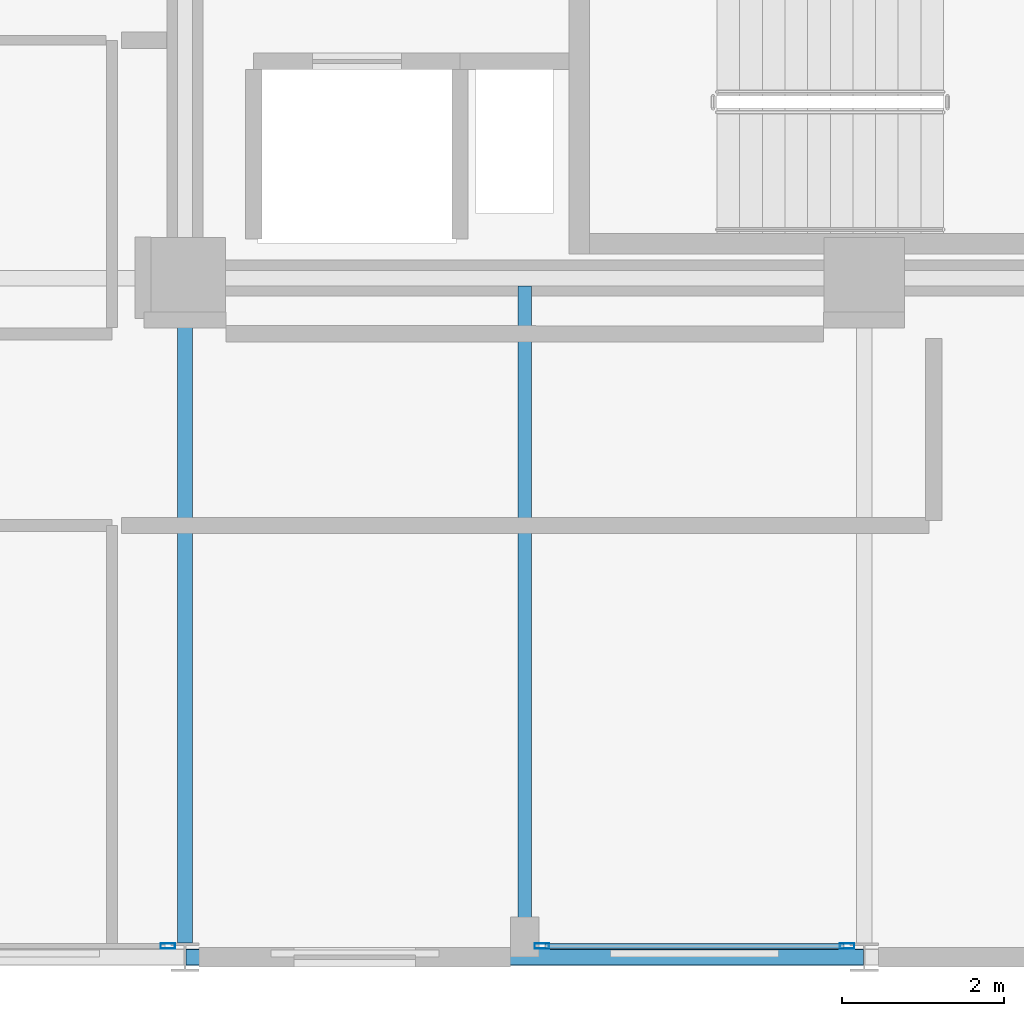
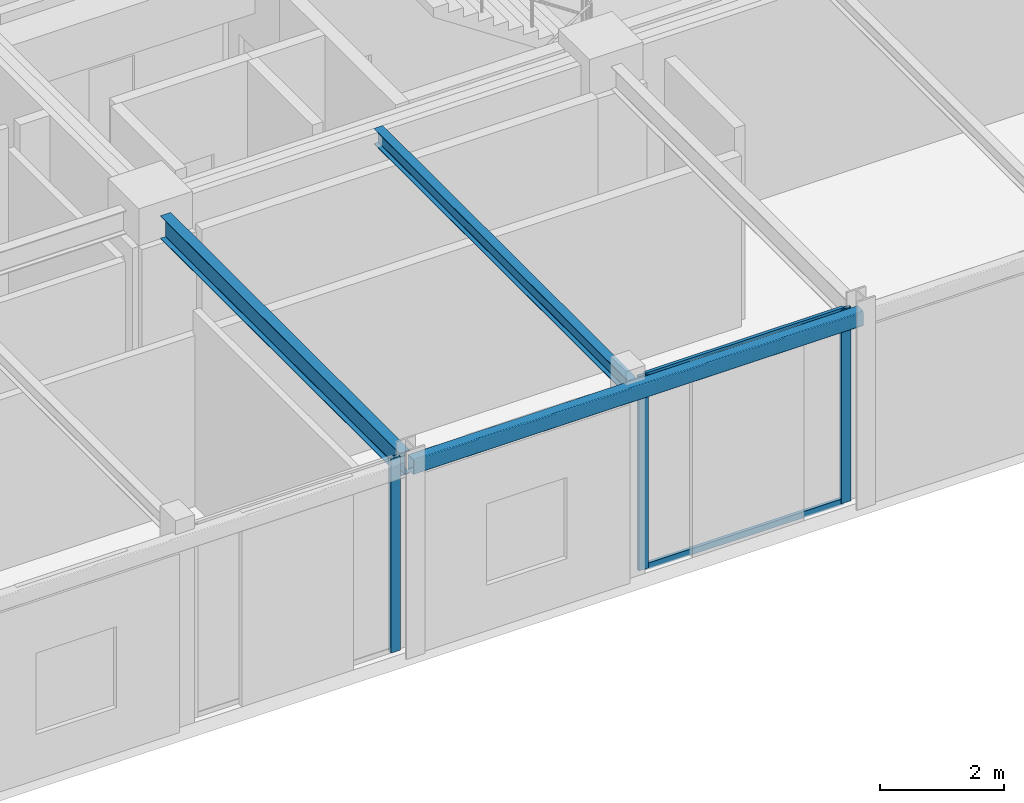
# One storey, part 6 of 25: 5 members, 3 beams, 2 elements without a shape of their own.
"""IFC4 building model written with IfcOpenShell, lengths in metres."""

from ifc_helpers import new_model, si_unit, direction, frame, origin, origin_2d, place, context, subcontext, project, spatial, hollow_rectangle, i_section, extrude, material, layer, layer_set, material_profile, profile_set, type_object, element, aggregate, save


model = new_model("IFC4")

# Units and contexts
model_context = context("Model", 3, precision=1e-05, world=origin(), true_north=direction((0.0, 1.0)))
body_context = subcontext(model_context, "Body", "Model", "MODEL_VIEW")
ifc_project = project(units=[si_unit("LENGTHUNIT", "METRE"), si_unit("AREAUNIT", "SQUARE_METRE"), si_unit("VOLUMEUNIT", "CUBIC_METRE"), si_unit("PLANEANGLEUNIT", "RADIAN"), si_unit("MASSUNIT", "GRAM", prefix="KILO")], contexts=[model_context])

# Site, building, storey
site_placement = place(None, origin())
site = spatial("IfcSite", under=ifc_project, at=site_placement, CompositionType="ELEMENT")
building_placement = place(site_placement, origin())
building = spatial("IfcBuilding", under=site, at=building_placement, Name="Nerrivon Quay Data Exchange", CompositionType="ELEMENT")
storey_placement = place(building_placement, frame((0.0, 0.0, 232.89990234375)))
storey = spatial("IfcBuildingStorey", under=building, at=storey_placement, Name="L55", CompositionType="ELEMENT", Elevation=232.89990234375)

# Beams
ifc_material_1 = material(Name="Steel Grade 350", Category="steel")
ifc_material_profile_1 = material_profile(ifc_material_1, i_section(OverallWidth=0.18994140625, OverallDepth=0.4541015625, WebThickness=0.008544921875, FlangeThickness=0.0126953125, FilletRadius=0.011474609375, at=origin_2d()), Name="460UB67.1")
ifc_profile_set_1 = profile_set([ifc_material_profile_1], Name="Steel Grade 350")
beam_type_1 = type_object("IfcBeamType", Name="BM-G6-460UB67", PredefinedType="BEAM", material=ifc_profile_set_1)
beam_1_placement = place(storey_placement, frame((16.800048828125, 0.175048828125, 3.59814453125), z_axis=(0.0, 1.0, 0.0), x_axis=(-1.0, 0.0, 0.0)))
element("IfcBeam", 1, at=beam_1_placement, inside=storey, type_object=beam_type_1, Name="L55 NS Girder X=16.8 (0.0..8.4)", PredefinedType="BEAM", context=body_context, shape_type="SweptSolid", body=[
    extrude(i_section(OverallWidth=0.18994140625, OverallDepth=0.4541015625, WebThickness=0.008544921875, FlangeThickness=0.0126953125, FilletRadius=0.011474609375, at=origin_2d()), origin(), (0.0, 0.0, 1.0), 7.724853515625),
])
ifc_material_profile_2 = material_profile(ifc_material_1, i_section(OverallWidth=0.166015625, OverallDepth=0.306884765625, WebThickness=0.006591796875, FlangeThickness=0.01171875, FilletRadius=0.011474609375, at=origin_2d()), Name="310UB46.2")
ifc_profile_set_2 = profile_set([ifc_material_profile_2], Name="Steel Grade 350")
beam_type_2 = type_object("IfcBeamType", Name="BM-J5-310UB46", PredefinedType="JOIST", material=ifc_profile_set_2)
beam_2_placement = place(storey_placement, frame((21.0, 0.10009765625, 3.671630859375), z_axis=(0.0, 1.0, 0.0), x_axis=(-1.0, 0.0, 0.0)))
element("IfcBeam", 2, at=beam_2_placement, inside=storey, type_object=beam_type_2, Name="L55 Secondary Joist X=21.0 (0.0..8.4)", PredefinedType="JOIST", context=body_context, shape_type="SweptSolid", body=[
    extrude(i_section(OverallWidth=0.166015625, OverallDepth=0.306884765625, WebThickness=0.006591796875, FlangeThickness=0.01171875, FilletRadius=0.011474609375, at=origin_2d()), origin(), (0.0, 0.0, 1.0), 8.204345703125),
])
ifc_material_2 = material(Name="Steel Grade C350L0 (350 MPa)", Category="steel")
ifc_material_profile_3 = material_profile(ifc_material_2, hollow_rectangle(XDim=0.199951171875, YDim=0.300048828125, WallThickness=0.012451171875, InnerFilletRadius=0.018798828125, OuterFilletRadius=0.03125, at=origin_2d()), Name="300x200x12.5RHS")
ifc_profile_set_3 = profile_set([ifc_material_profile_3], Name="Steel Grade C350L0 (350 MPa)")
beam_type_3 = type_object("IfcBeamType", Name="BM-SP3-300x200RHS", PredefinedType="SPANDREL", material=ifc_profile_set_3)
beam_3_placement = place(storey_placement, frame((16.81005859375, 0.0, 3.675048828125), z_axis=(1.0, 0.0, 0.0), x_axis=(0.0, 1.0, 0.0)))
element("IfcBeam", 3, at=beam_3_placement, inside=storey, type_object=beam_type_3, Name="L55 EW Girder Y=0.0 (16.8..25.2)", PredefinedType="SPANDREL", context=body_context, shape_type="SweptSolid", body=[
    extrude(hollow_rectangle(XDim=0.199951171875, YDim=0.300048828125, WallThickness=0.012451171875, InnerFilletRadius=0.018798828125, OuterFilletRadius=0.03125, at=origin_2d()), origin(), (0.0, 0.0, 1.0), 8.3798828125),
])

# Curtain wall, members
ifc_material_3 = material(Name="Anodised aluminium 6063-T6", Category="aluminium")
ifc_layer = layer(ifc_material_3, 0.195068359375)
ifc_layer_set = layer_set([ifc_layer], Name="Anodised aluminium 6063-T6")
curtain_wall_type = type_object("IfcCurtainWallType", Name="CW-SYS-06", PredefinedType="NOTDEFINED", material=ifc_layer_set)
curtain_wall_1_placement = place(storey_placement, origin())
curtain_wall_1 = element("IfcCurtainWall", 4, at=curtain_wall_1_placement, inside=storey, type_object=curtain_wall_type, Name="L55 Unitised Curtain Wall 4", PredefinedType="NOTDEFINED")
ifc_material_profile_4 = material_profile(ifc_material_3, hollow_rectangle(XDim=0.06494140625, YDim=0.179931640625, WallThickness=0.00341796875, at=origin_2d()), Name="ALU-MULL-180x65")
ifc_profile_set_4 = profile_set([ifc_material_profile_4], Name="Anodised aluminium 6063-T6")
member_type_1 = type_object("IfcMemberType", Name="CWM-180x65", PredefinedType="MULLION", material=ifc_profile_set_4)
member_1_placement = place(storey_placement, frame((24.987548828125, 0.139892578125, 0.0), z_axis=(0.0, 0.0, 1.0), x_axis=(0.0, -1.0, 0.0)))
member_1 = element("IfcMember", 5, at=member_1_placement, type_object=member_type_1, Name="CW06 mullion 1", PredefinedType="MULLION", context=body_context, shape_type="SweptSolid", body=[
    extrude(hollow_rectangle(XDim=0.06494140625, YDim=0.179931640625, WallThickness=0.00341796875, at=origin_2d()), origin(), (0.0, 0.0, 1.0), 3.8251953125),
])
member_2_placement = place(storey_placement, frame((21.21240234375, 0.139892578125, 0.0), z_axis=(0.0, 0.0, 1.0), x_axis=(0.0, -1.0, 0.0)))
member_2 = element("IfcMember", 6, at=member_2_placement, type_object=member_type_1, Name="CW06 mullion 2", PredefinedType="MULLION", context=body_context, shape_type="SweptSolid", body=[
    extrude(hollow_rectangle(XDim=0.06494140625, YDim=0.179931640625, WallThickness=0.00341796875, at=origin_2d()), origin(), (0.0, 0.0, 1.0), 3.8251953125),
])

# Curtain wall, member
curtain_wall_2_placement = place(storey_placement, origin())
curtain_wall_2 = element("IfcCurtainWall", 7, at=curtain_wall_2_placement, inside=storey, type_object=curtain_wall_type, Name="L55 Unitised Curtain Wall 6", PredefinedType="NOTDEFINED")
member_3_placement = place(storey_placement, frame((16.58740234375, 0.139892578125, 0.0), z_axis=(0.0, 0.0, 1.0), x_axis=(0.0, -1.0, 0.0)))
member_3 = element("IfcMember", 8, at=member_3_placement, type_object=member_type_1, Name="CW06 mullion 1", PredefinedType="MULLION", context=body_context, shape_type="SweptSolid", body=[
    extrude(hollow_rectangle(XDim=0.06494140625, YDim=0.179931640625, WallThickness=0.00341796875, at=origin_2d()), origin(), (0.0, 0.0, 1.0), 3.8251953125),
])
aggregate(curtain_wall_2, [member_3])

# Member
ifc_material_profile_5 = material_profile(ifc_material_3, hollow_rectangle(XDim=0.06005859375, YDim=0.1201171875, WallThickness=0.003173828125, at=origin_2d()), Name="ALU-TRAN-120x60")
ifc_profile_set_5 = profile_set([ifc_material_profile_5], Name="Anodised aluminium 6063-T6")
member_type_2 = type_object("IfcMemberType", Name="CWT-120x60", PredefinedType="USERDEFINED", material=ifc_profile_set_5)
member_4_placement = place(storey_placement, frame((24.949951171875, 0.139892578125, 0.03271484375), z_axis=(-1.0, 0.0, 0.0), x_axis=(0.0, -1.0, 0.0)))
member_4 = element("IfcMember", 9, at=member_4_placement, type_object=member_type_2, Name="CW06 transom 1.1", ObjectType="TRANSOM", PredefinedType="USERDEFINED", context=body_context, shape_type="SweptSolid", body=[
    extrude(hollow_rectangle(XDim=0.06005859375, YDim=0.1201171875, WallThickness=0.003173828125, at=origin_2d()), origin(), (0.0, 0.0, 1.0), 3.699951171875),
])

member_5_placement = place(storey_placement, frame((24.949951171875, 0.139892578125, 3.79248046875), z_axis=(-1.0, 0.0, 0.0), x_axis=(0.0, -1.0, 0.0)))
member_5 = element("IfcMember", 10, at=member_5_placement, type_object=member_type_2, Name="CW06 transom 1.2", ObjectType="TRANSOM", PredefinedType="USERDEFINED", context=body_context, shape_type="SweptSolid", body=[
    extrude(hollow_rectangle(XDim=0.06005859375, YDim=0.1201171875, WallThickness=0.003173828125, at=origin_2d()), origin(), (0.0, 0.0, 1.0), 3.699951171875),
])

aggregate(curtain_wall_1, [member_1, member_2, member_4, member_5])

save(model, "model.ifc")
